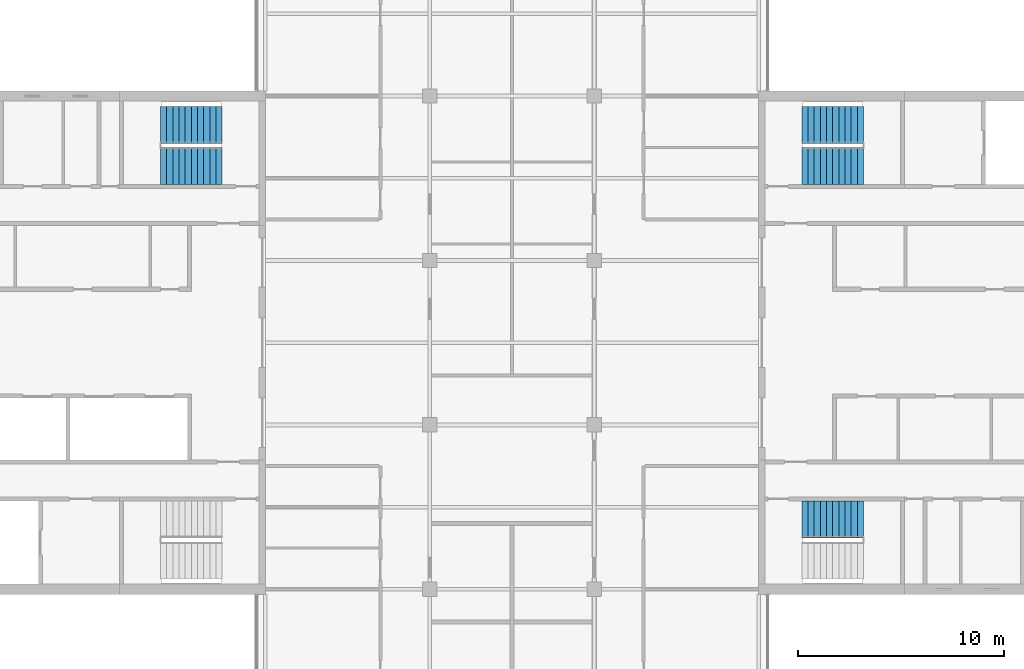
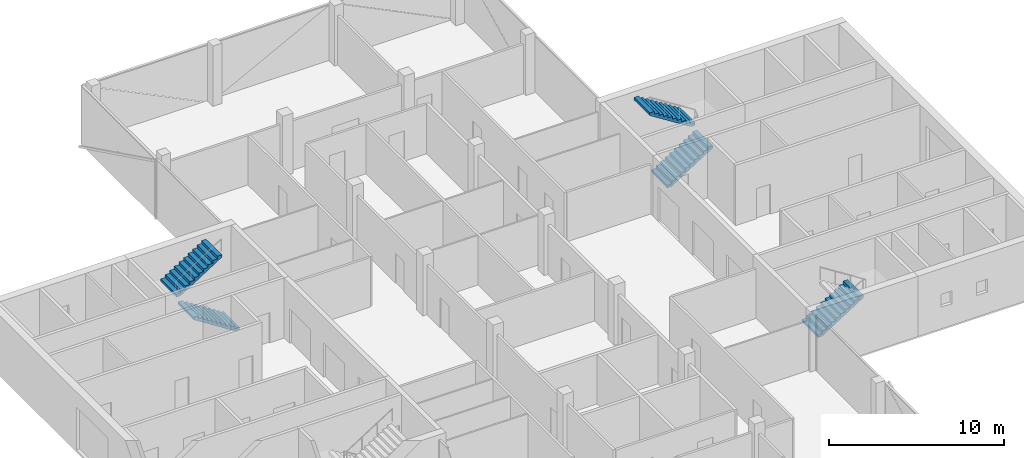
# One storey, part 13 of 16: 5 stair flights, 3 elements without a shape of their own.
"""IFC4 building model written with IfcOpenShell, lengths in metres."""

import ifcopenshell
import ifcopenshell.guid

model = None  # the IFC model being written
_history = None  # IfcOwnerHistory: only IFC2X3 demands one
_inside = {}  # id of a spatial element -> (the spatial element, [elements in it])
_under = {}  # id of a project, library or spatial element -> (it, [spatial elements below it])
_declared = {}  # id of a project -> (the project, [libraries it declares])
_typed = {}  # id of a type object -> (the type object, [elements of that type])
_made_of = {}  # id of a material, layer set ... -> (it, [elements and type objects made of it])


def new_model(schema):
    """Start an empty IFC model of exactly this schema.

    Asked for "IFC4X3", IfcOpenShell would pick the latest addendum, in which some entities
    have other attributes; the version numbers below select the first issue.
    IFC2X3 requires an IfcOwnerHistory on every rooted entity: one is made here for all.
    """
    global model, _history
    if schema == "IFC4X3":
        model = ifcopenshell.file(schema_version=(4, 3, 0, 0))
    else:
        model = ifcopenshell.file(schema=schema)
    _inside.clear()
    _under.clear()
    _declared.clear()
    _typed.clear()
    _made_of.clear()
    _history = None
    if model.schema == "IFC2X3":
        org = make("IfcOrganization", Name="unknown")
        user = make(
            "IfcPersonAndOrganization",
            ThePerson=make("IfcPerson", FamilyName="unknown"),
            TheOrganization=org,
        )
        app = make(
            "IfcApplication",
            ApplicationDeveloper=org,
            Version="unknown",
            ApplicationFullName="unknown",
            ApplicationIdentifier="unknown",
        )
        _history = make(
            "IfcOwnerHistory",
            OwningUser=user,
            OwningApplication=app,
            ChangeAction="ADDED",
            CreationDate=0,
        )
    return model


def make(cls, **values):
    """One entity of the class cls with the attributes given. An attribute that is None is left unset."""
    return model.create_entity(
        cls, **{name: value for name, value in values.items() if value is not None}
    )


def rooted(cls, **values):
    """An entity with a GlobalId (a new one), such as an element, a storey or a relation."""
    return make(cls, GlobalId=ifcopenshell.guid.new(), OwnerHistory=_history, **values)


def si_unit(unit_type, name, prefix=None):
    """IfcSIUnit, for example si_unit("LENGTHUNIT", "METRE", prefix="MILLI")."""
    return make("IfcSIUnit", UnitType=unit_type, Prefix=prefix, Name=name)


def assignment(units):
    """IfcUnitAssignment: the units of a project."""
    return None if units is None else make("IfcUnitAssignment", Units=units)


def point(xyz):
    """IfcCartesianPoint."""
    return None if xyz is None else make("IfcCartesianPoint", Coordinates=xyz)


def direction(xyz):
    """IfcDirection."""
    return None if xyz is None else make("IfcDirection", DirectionRatios=xyz)


def frame(location, z_axis=None, x_axis=None):
    """IfcAxis2Placement3D, a coordinate frame: its origin and axes. An axis left out is left unset."""
    return make(
        "IfcAxis2Placement3D",
        Location=point(location),
        Axis=direction(z_axis),
        RefDirection=direction(x_axis),
    )


def origin():
    """The frame at (0, 0, 0) with its axes left unset."""
    return frame((0.0, 0.0, 0.0))


def place(relative_to, where):
    """IfcLocalPlacement: puts the frame where relative to a parent placement (None: the world)."""
    return make(
        "IfcLocalPlacement", PlacementRelTo=relative_to, RelativePlacement=where
    )


def context(
    kind, dimensions, precision=None, world=None, true_north=None, identifier=None
):
    """IfcGeometricRepresentationContext, for example the 3D "Model" context."""
    return make(
        "IfcGeometricRepresentationContext",
        ContextIdentifier=identifier,
        ContextType=kind,
        CoordinateSpaceDimension=dimensions,
        Precision=precision,
        WorldCoordinateSystem=world,
        TrueNorth=true_north,
    )


def subcontext(parent, identifier, kind, view, scale=None):
    """IfcGeometricRepresentationSubContext, for example "Body" below "Model"."""
    return make(
        "IfcGeometricRepresentationSubContext",
        ContextIdentifier=identifier,
        ContextType=kind,
        ParentContext=parent,
        TargetScale=scale,
        TargetView=view,
    )


def project(units=None, contexts=None):
    """IfcProject with its units and contexts."""
    return rooted(
        "IfcProject",
        Name="project",
        RepresentationContexts=contexts,
        UnitsInContext=assignment(units),
    )


def spatial(cls, under=None, at=None, **own):
    """A site, building, storey or space (cls), placed at a placement, below another one or the project."""
    s = rooted(cls, ObjectPlacement=at, **own)
    if under is not None:
        _under.setdefault(under.id(), (under, []))[1].append(s)
    return s


def polyline(points):
    """IfcPolyline through the points."""
    return make("IfcPolyline", Points=[point(p) for p in points])


def outline(outer, holes=None, kind="AREA"):
    """IfcArbitraryClosedProfileDef: a profile drawn as a closed curve; with holes, ...WithVoids."""
    if holes is None:
        return make("IfcArbitraryClosedProfileDef", ProfileType=kind, OuterCurve=outer)
    return make(
        "IfcArbitraryProfileDefWithVoids",
        ProfileType=kind,
        OuterCurve=outer,
        InnerCurves=holes,
    )


def extrude(swept, where, along, depth):
    """IfcExtrudedAreaSolid: the profile swept, set in the frame where, extruded along a direction by depth."""
    return make(
        "IfcExtrudedAreaSolid",
        SweptArea=swept,
        Position=where,
        ExtrudedDirection=direction(along),
        Depth=depth,
    )


def shape(context_of_items, identifier, shape_type, items):
    """IfcShapeRepresentation: the items that make up one representation, for example the "Body"."""
    return make(
        "IfcShapeRepresentation",
        ContextOfItems=context_of_items,
        RepresentationIdentifier=identifier,
        RepresentationType=shape_type,
        Items=items,
    )


def material(Name=None, Category=None):
    """IfcMaterial."""
    return make("IfcMaterial", Name=Name, Category=Category)


def made_of(thing, what):
    """Note that an element or type object is made of a material, layer set ...; save() writes the relation."""
    if what is not None:
        _made_of.setdefault(what.id(), (what, []))[1].append(thing)
    return thing


def type_object(cls, material=None, **own):
    """A type object (cls), such as IfcWallType, which elements share."""
    return made_of(rooted(cls, **own), material)


def element(
    cls,
    number,
    at=None,
    inside=None,
    cuts=None,
    type_object=None,
    material=None,
    context=None,
    identifier="Body",
    shape_type=None,
    held_by="IfcProductDefinitionShape",
    body=None,
    shapes=None,
    **own,
):
    """One element of the class cls, such as IfcWall. Its Tag is "e" and its number.

    at: its placement. inside: the storey or other place that contains it. cuts: it is an
    opening in that element (IfcRelVoidsElement). A single representation is given by context,
    identifier, shape_type and body (its items); several are given by shapes. held_by: the class
    of the entity that holds the representations. save() writes the other relations.
    """
    e = rooted(cls, Tag="e%d" % number, ObjectPlacement=at, **own)
    if body is not None:
        shapes = [shape(context, identifier, shape_type, body)]
    if shapes is not None:
        e.Representation = make(held_by, Representations=shapes)
    if inside is not None:
        _inside.setdefault(inside.id(), (inside, []))[1].append(e)
    if cuts is not None:
        rooted(
            "IfcRelVoidsElement", RelatingBuildingElement=cuts, RelatedOpeningElement=e
        )
    if type_object is not None:
        _typed.setdefault(type_object.id(), (type_object, []))[1].append(e)
    return made_of(e, material)


def aggregate(whole, parts):
    """IfcRelAggregates: a whole, such as a stair, and the parts it consists of."""
    return rooted("IfcRelAggregates", RelatingObject=whole, RelatedObjects=parts)


def save(model, path):
    """Write the relations noted so far, then the file.

    IfcRelAggregates (storeys below a building ...), IfcRelContainedInSpatialStructure (elements
    in a storey), IfcRelDefinesByType, IfcRelAssociatesMaterial and IfcRelDeclares: one each for
    every whole, place, type object, material and project.
    """
    for whole, parts in _under.values():
        aggregate(whole, parts)
    for where, things in _inside.values():
        rooted(
            "IfcRelContainedInSpatialStructure",
            RelatedElements=things,
            RelatingStructure=where,
        )
    for kind, things in _typed.values():
        rooted("IfcRelDefinesByType", RelatedObjects=things, RelatingType=kind)
    for what, things in _made_of.values():
        rooted("IfcRelAssociatesMaterial", RelatedObjects=things, RelatingMaterial=what)
    for by, libraries in _declared.values():
        rooted("IfcRelDeclares", RelatingContext=by, RelatedDefinitions=libraries)
    model.write(path)


model = new_model("IFC4")

# Units and contexts
model_context = context("Model", 3, precision=1e-05, world=origin(), true_north=direction((0.0, 1.0)))
body_context = subcontext(model_context, "Body", "Model", "MODEL_VIEW")
ifc_project = project(units=[si_unit("LENGTHUNIT", "METRE"), si_unit("AREAUNIT", "SQUARE_METRE"), si_unit("VOLUMEUNIT", "CUBIC_METRE"), si_unit("PLANEANGLEUNIT", "RADIAN"), si_unit("MASSUNIT", "GRAM", prefix="KILO")], contexts=[model_context])

# Site, building, storey
site_placement = place(None, origin())
site = spatial("IfcSite", under=ifc_project, at=site_placement, CompositionType="ELEMENT")
building_placement = place(site_placement, origin())
building = spatial("IfcBuilding", under=site, at=building_placement, Name="Crosswind Convention Tower", CompositionType="ELEMENT")
storey_placement = place(building_placement, frame((0.0, 0.0, 274.5)))
storey = spatial("IfcBuildingStorey", under=building, at=storey_placement, Name="L59", CompositionType="ELEMENT", Elevation=274.5)

# Stair, stair flights
ifc_material = material(Name="Concrete C40/50", Category="concrete")
stair_type = type_object("IfcStairType", Name="Exit stair 1800 wide, 2 flights of 11 risers", PredefinedType="HALF_TURN_STAIR", material=ifc_material)
stair_1_placement = place(storey_placement, origin())
stair_1 = element("IfcStair", 1, at=stair_1_placement, inside=storey, type_object=stair_type, Name="Exit stair ST1 L59", ObjectType="ST5", PredefinedType="HALF_TURN_STAIR")
stair_flight_type = type_object("IfcStairFlightType", Name="Stair flight 1800 wide, 11 risers (SF4)", PredefinedType="STRAIGHT", material=ifc_material)
stair_flight_1_placement = place(storey_placement, frame((139.10009765625, 108.60009765625, 0.0), z_axis=(0.0, 0.0, 1.0), x_axis=(1.0, 0.0, 0.0)))
stair_flight_1 = element("IfcStairFlight", 2, at=stair_flight_1_placement, type_object=stair_flight_type, Name="ST1 flight 1", NumberOfRisers=11, NumberOfTreads=10, PredefinedType="STRAIGHT", RiserHeight=0.190909091, TreadLength=0.3, context=body_context, shape_type="SweptSolid", body=[
    extrude(outline(polyline([(0.0, 0.0), (0.0, 0.19091796875), (0.300048828125, 0.19091796875), (0.300048828125, 0.3818359375), (0.60009765625, 0.3818359375), (0.60009765625, 0.57275390625), (0.89990234375, 0.57275390625), (0.89990234375, 0.763671875), (1.199951171875, 0.763671875), (1.199951171875, 0.95458984375), (1.5, 0.95458984375), (1.5, 1.1455078125), (1.800048828125, 1.1455078125), (1.800048828125, 1.33642578125), (2.10009765625, 1.33642578125), (2.10009765625, 1.52734375), (2.39990234375, 1.52734375), (2.39990234375, 1.71826171875), (2.699951171875, 1.71826171875), (2.699951171875, 1.9091796875), (3.0, 1.9091796875), (3.0, 2.10009765625), (3.0, 1.7314453125), (0.279296875, 0.0), (0.0, 0.0)])), frame((0.0, 0.89990234375, 0.0), z_axis=(0.0, -1.0, 0.0), x_axis=(1.0, 0.0, 0.0)), (0.0, 0.0, 1.0), 1.800048828125),
])
stair_flight_2_placement = place(storey_placement, frame((142.10009765625, 110.60009765625, 2.10009765625), z_axis=(0.0, 0.0, 1.0), x_axis=(-1.0, 0.0, 0.0)))
stair_flight_2 = element("IfcStairFlight", 3, at=stair_flight_2_placement, type_object=stair_flight_type, Name="ST1 flight 2", NumberOfRisers=11, NumberOfTreads=10, PredefinedType="STRAIGHT", RiserHeight=0.190909091, TreadLength=0.3, context=body_context, shape_type="SweptSolid", body=[
    extrude(outline(polyline([(0.0, 0.0), (0.0, 0.19091796875), (0.300048828125, 0.19091796875), (0.300048828125, 0.3818359375), (0.60009765625, 0.3818359375), (0.60009765625, 0.57275390625), (0.89990234375, 0.57275390625), (0.89990234375, 0.763671875), (1.199951171875, 0.763671875), (1.199951171875, 0.95458984375), (1.5, 0.95458984375), (1.5, 1.1455078125), (1.800048828125, 1.1455078125), (1.800048828125, 1.33642578125), (2.10009765625, 1.33642578125), (2.10009765625, 1.52734375), (2.39990234375, 1.52734375), (2.39990234375, 1.71826171875), (2.699951171875, 1.71826171875), (2.699951171875, 1.9091796875), (3.0, 1.9091796875), (3.0, 2.10009765625), (3.0, 1.7314453125), (0.279296875, 0.0), (0.0, 0.0)])), frame((0.0, 0.89990234375, 0.0), z_axis=(0.0, -1.0, 0.0), x_axis=(1.0, 0.0, 0.0)), (0.0, 0.0, 1.0), 1.800048828125),
])
aggregate(stair_1, [stair_flight_1, stair_flight_2])

# Stair, stair flight
stair_2_placement = place(storey_placement, origin())
stair_2 = element("IfcStair", 4, at=stair_2_placement, inside=storey, type_object=stair_type, Name="Exit stair ST2 L59", ObjectType="ST5", PredefinedType="HALF_TURN_STAIR")
stair_flight_3_placement = place(storey_placement, frame((139.10009765625, 91.39990234375, 0.0), z_axis=(0.0, 0.0, 1.0), x_axis=(1.0, 0.0, 0.0)))
stair_flight_3 = element("IfcStairFlight", 5, at=stair_flight_3_placement, type_object=stair_flight_type, Name="ST2 flight 1", NumberOfRisers=11, NumberOfTreads=10, PredefinedType="STRAIGHT", RiserHeight=0.190909091, TreadLength=0.3, context=body_context, shape_type="SweptSolid", body=[
    extrude(outline(polyline([(0.0, 0.0), (0.0, 0.19091796875), (0.300048828125, 0.19091796875), (0.300048828125, 0.3818359375), (0.60009765625, 0.3818359375), (0.60009765625, 0.57275390625), (0.89990234375, 0.57275390625), (0.89990234375, 0.763671875), (1.199951171875, 0.763671875), (1.199951171875, 0.95458984375), (1.5, 0.95458984375), (1.5, 1.1455078125), (1.800048828125, 1.1455078125), (1.800048828125, 1.33642578125), (2.10009765625, 1.33642578125), (2.10009765625, 1.52734375), (2.39990234375, 1.52734375), (2.39990234375, 1.71826171875), (2.699951171875, 1.71826171875), (2.699951171875, 1.9091796875), (3.0, 1.9091796875), (3.0, 2.10009765625), (3.0, 1.7314453125), (0.279296875, 0.0), (0.0, 0.0)])), frame((0.0, 0.89990234375, 0.0), z_axis=(0.0, -1.0, 0.0), x_axis=(1.0, 0.0, 0.0)), (0.0, 0.0, 1.0), 1.800048828125),
])
aggregate(stair_2, [stair_flight_3])

# Stair, stair flights
stair_3_placement = place(storey_placement, origin())
stair_3 = element("IfcStair", 6, at=stair_3_placement, inside=storey, type_object=stair_type, Name="Exit stair ST4 L59", ObjectType="ST5", PredefinedType="HALF_TURN_STAIR")
stair_flight_4_placement = place(storey_placement, frame((110.89990234375, 108.60009765625, 0.0), z_axis=(0.0, 0.0, 1.0), x_axis=(-1.0, 0.0, 0.0)))
stair_flight_4 = element("IfcStairFlight", 7, at=stair_flight_4_placement, type_object=stair_flight_type, Name="ST4 flight 1", NumberOfRisers=11, NumberOfTreads=10, PredefinedType="STRAIGHT", RiserHeight=0.190909091, TreadLength=0.3, context=body_context, shape_type="SweptSolid", body=[
    extrude(outline(polyline([(0.0, 0.0), (0.0, 0.19091796875), (0.300048828125, 0.19091796875), (0.300048828125, 0.3818359375), (0.60009765625, 0.3818359375), (0.60009765625, 0.57275390625), (0.89990234375, 0.57275390625), (0.89990234375, 0.763671875), (1.199951171875, 0.763671875), (1.199951171875, 0.95458984375), (1.5, 0.95458984375), (1.5, 1.1455078125), (1.800048828125, 1.1455078125), (1.800048828125, 1.33642578125), (2.10009765625, 1.33642578125), (2.10009765625, 1.52734375), (2.39990234375, 1.52734375), (2.39990234375, 1.71826171875), (2.699951171875, 1.71826171875), (2.699951171875, 1.9091796875), (3.0, 1.9091796875), (3.0, 2.10009765625), (3.0, 1.7314453125), (0.279296875, 0.0), (0.0, 0.0)])), frame((0.0, 0.89990234375, 0.0), z_axis=(0.0, -1.0, 0.0), x_axis=(1.0, 0.0, 0.0)), (0.0, 0.0, 1.0), 1.800048828125),
])
stair_flight_5_placement = place(storey_placement, frame((107.89990234375, 110.60009765625, 2.10009765625), z_axis=(0.0, 0.0, 1.0), x_axis=(1.0, 0.0, 0.0)))
stair_flight_5 = element("IfcStairFlight", 8, at=stair_flight_5_placement, type_object=stair_flight_type, Name="ST4 flight 2", NumberOfRisers=11, NumberOfTreads=10, PredefinedType="STRAIGHT", RiserHeight=0.190909091, TreadLength=0.3, context=body_context, shape_type="SweptSolid", body=[
    extrude(outline(polyline([(0.0, 0.0), (0.0, 0.19091796875), (0.300048828125, 0.19091796875), (0.300048828125, 0.3818359375), (0.60009765625, 0.3818359375), (0.60009765625, 0.57275390625), (0.89990234375, 0.57275390625), (0.89990234375, 0.763671875), (1.199951171875, 0.763671875), (1.199951171875, 0.95458984375), (1.5, 0.95458984375), (1.5, 1.1455078125), (1.800048828125, 1.1455078125), (1.800048828125, 1.33642578125), (2.10009765625, 1.33642578125), (2.10009765625, 1.52734375), (2.39990234375, 1.52734375), (2.39990234375, 1.71826171875), (2.699951171875, 1.71826171875), (2.699951171875, 1.9091796875), (3.0, 1.9091796875), (3.0, 2.10009765625), (3.0, 1.7314453125), (0.279296875, 0.0), (0.0, 0.0)])), frame((0.0, 0.89990234375, 0.0), z_axis=(0.0, -1.0, 0.0), x_axis=(1.0, 0.0, 0.0)), (0.0, 0.0, 1.0), 1.800048828125),
])
aggregate(stair_3, [stair_flight_4, stair_flight_5])

save(model, "model.ifc")
